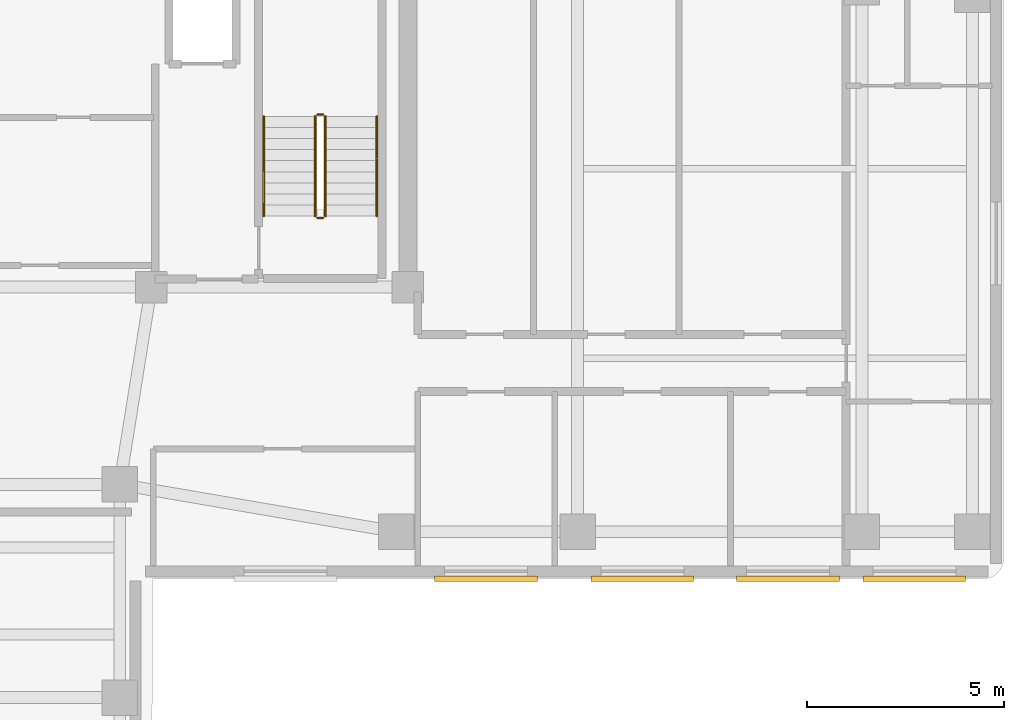
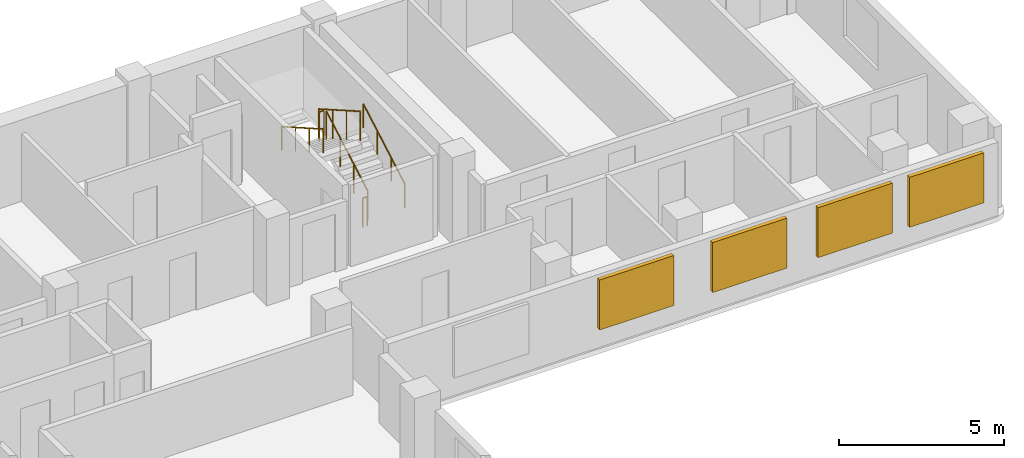
# One storey, part 7 of 7: 6 railings, 4 shading devices.
"""IFC4 building model written with IfcOpenShell, lengths in metres."""

from ifc_helpers import new_model, si_unit, direction, frame, origin, origin_2d, place, context, subcontext, project, spatial, rectangle, circle, extrude, material, layer, layer_set, type_object, element, save


model = new_model("IFC4")

# Units and contexts
model_context = context("Model", 3, precision=1e-05, world=origin(), true_north=direction((0.0, 1.0)))
body_context = subcontext(model_context, "Body", "Model", "MODEL_VIEW")
ifc_project = project(units=[si_unit("LENGTHUNIT", "METRE"), si_unit("AREAUNIT", "SQUARE_METRE"), si_unit("VOLUMEUNIT", "CUBIC_METRE"), si_unit("PLANEANGLEUNIT", "RADIAN"), si_unit("MASSUNIT", "GRAM", prefix="KILO")], contexts=[model_context])

# Site, building, storey
site_placement = place(None, origin())
site = spatial("IfcSite", under=ifc_project, at=site_placement, CompositionType="ELEMENT")
building_placement = place(site_placement, origin())
building = spatial("IfcBuilding", under=site, at=building_placement, Name="Kuzgunbayir Cultural Tower", CompositionType="ELEMENT")
storey_placement = place(building_placement, frame((0.0, 0.0, 192.0)))
storey = spatial("IfcBuildingStorey", under=building, at=storey_placement, Name="L56", CompositionType="ELEMENT", Elevation=192.0)

# Railings
ifc_material_1 = material(Name="Brushed Stainless Steel", Category="steel")
ifc_layer_1 = layer(ifc_material_1, 0.050048828125)
ifc_layer_set_1 = layer_set([ifc_layer_1], Name="Brushed Stainless Steel")
railing_type_1 = type_object("IfcRailingType", Name="RLG-STAIR-HANDRAIL", PredefinedType="HANDRAIL", material=ifc_layer_set_1)
railing_1_placement = place(storey_placement, frame((26.110107421875, 35.60009765625, 0.159912109375)))
element("IfcRailing", 1, at=railing_1_placement, inside=storey, type_object=railing_type_1, Name="L56 ST-2 stair handrail 1", PredefinedType="HANDRAIL", context=body_context, shape_type="SweptSolid", body=[
    extrude(circle(Radius=0.02392578125, at=origin_2d()), frame((0.0, 0.0, 0.8759765625), z_axis=(0.0, 0.868217259934, 0.496184229447), x_axis=(-1.0, 0.0, 0.0)), (0.0, 0.0, 1.0), 2.902587890625),
    extrude(circle(Radius=0.02099609375, at=origin_2d()), origin(), (0.0, 0.0, 1.0), 0.851806640625),
    extrude(circle(Radius=0.02099609375, at=origin_2d()), frame((0.0, 0.840087890625, 0.47998046875)), (0.0, 0.0, 1.0), 0.851806640625),
    extrude(circle(Radius=0.02099609375, at=origin_2d()), frame((0.0, 1.679931640625, 0.960205078125)), (0.0, 0.0, 1.0), 0.851806640625),
    extrude(circle(Radius=0.02099609375, at=origin_2d()), frame((0.0, 2.52001953125, 1.440185546875)), (0.0, 0.0, 1.0), 0.851806640625),
])
railing_2_placement = place(storey_placement, frame((23.25, 38.1201171875, 1.760009765625)))
element("IfcRailing", 2, at=railing_2_placement, inside=storey, type_object=railing_type_1, Name="L56 ST-2 stair handrail 2", PredefinedType="HANDRAIL", context=body_context, shape_type="SweptSolid", body=[
    extrude(circle(Radius=0.02392578125, at=origin_2d()), frame((0.0, 0.0, 0.8759765625), z_axis=(0.0, -0.868253494771, 0.496120820787), x_axis=(1.0, 0.0, 0.0)), (0.0, 0.0, 1.0), 2.90234375),
    extrude(circle(Radius=0.02099609375, at=origin_2d()), origin(), (0.0, 0.0, 1.0), 0.851806640625),
    extrude(circle(Radius=0.02099609375, at=origin_2d()), frame((0.0, -0.840087890625, 0.47998046875)), (0.0, 0.0, 1.0), 0.851806640625),
    extrude(circle(Radius=0.02099609375, at=origin_2d()), frame((0.0, -1.679931640625, 0.9599609375)), (0.0, 0.0, 1.0), 0.851806640625),
    extrude(circle(Radius=0.02099609375, at=origin_2d()), frame((0.0, -2.52001953125, 1.43994140625)), (0.0, 0.0, 1.0), 0.851806640625),
])
ifc_material_2 = material(Name="Painted Steel Balustrade", Category="steel")
ifc_layer_2 = layer(ifc_material_2, 0.06005859375)
ifc_layer_set_2 = layer_set([ifc_layer_2], Name="Painted Steel Balustrade")
railing_type_2 = type_object("IfcRailingType", Name="RLG-WELL-GUARD", PredefinedType="GUARDRAIL", material=ifc_layer_set_2)
railing_3_placement = place(storey_placement, frame((24.81005859375, 35.60009765625, 0.159912109375)))
element("IfcRailing", 3, at=railing_3_placement, inside=storey, type_object=railing_type_2, Name="L56 ST-2 stair guard 1", PredefinedType="GUARDRAIL", context=body_context, shape_type="SweptSolid", body=[
    extrude(circle(Radius=0.02392578125, at=origin_2d()), frame((0.0, 0.0, 1.076171875), z_axis=(0.0, 0.868217259934, 0.496184229447), x_axis=(-1.0, 0.0, 0.0)), (0.0, 0.0, 1.0), 2.902587890625),
    extrude(circle(Radius=0.02099609375, at=origin_2d()), origin(), (0.0, 0.0, 1.0), 1.052001953125),
    extrude(circle(Radius=0.02099609375, at=origin_2d()), frame((0.0, 0.840087890625, 0.47998046875)), (0.0, 0.0, 1.0), 1.052001953125),
    extrude(circle(Radius=0.02099609375, at=origin_2d()), frame((0.0, 1.679931640625, 0.960205078125)), (0.0, 0.0, 1.0), 1.052001953125),
    extrude(circle(Radius=0.02099609375, at=origin_2d()), frame((0.0, 2.52001953125, 1.440185546875)), (0.0, 0.0, 1.0), 1.052001953125),
])
railing_4_placement = place(storey_placement, frame((24.760009765625, 38.169921875, 1.60009765625)))
element("IfcRailing", 4, at=railing_4_placement, inside=storey, type_object=railing_type_2, Name="L56 ST-2 stair guard 2", PredefinedType="GUARDRAIL", context=body_context, shape_type="SweptSolid", body=[
    extrude(circle(Radius=0.02392578125, at=origin_2d()), frame((0.0, 0.0, 1.076171875), z_axis=(-1.0, 0.0, 0.0), x_axis=(0.0, -1.0, 0.0)), (0.0, 0.0, 1.0), 0.159912109375),
    extrude(circle(Radius=0.02099609375, at=origin_2d()), origin(), (0.0, 0.0, 1.0), 1.052001953125),
    extrude(circle(Radius=0.02099609375, at=origin_2d()), frame((-0.159912109375, 0.0, 0.0)), (0.0, 0.0, 1.0), 1.052001953125),
])
railing_5_placement = place(storey_placement, frame((24.550048828125, 38.1201171875, 1.760009765625)))
element("IfcRailing", 5, at=railing_5_placement, inside=storey, type_object=railing_type_2, Name="L56 ST-2 stair guard 3", PredefinedType="GUARDRAIL", context=body_context, shape_type="SweptSolid", body=[
    extrude(circle(Radius=0.02392578125, at=origin_2d()), frame((0.0, 0.0, 1.076171875), z_axis=(0.0, -0.868253494771, 0.496120820787), x_axis=(1.0, 0.0, 0.0)), (0.0, 0.0, 1.0), 2.90234375),
    extrude(circle(Radius=0.02099609375, at=origin_2d()), origin(), (0.0, 0.0, 1.0), 1.052001953125),
    extrude(circle(Radius=0.02099609375, at=origin_2d()), frame((0.0, -0.840087890625, 0.47998046875)), (0.0, 0.0, 1.0), 1.052001953125),
    extrude(circle(Radius=0.02099609375, at=origin_2d()), frame((0.0, -1.679931640625, 0.9599609375)), (0.0, 0.0, 1.0), 1.052001953125),
    extrude(circle(Radius=0.02099609375, at=origin_2d()), frame((0.0, -2.52001953125, 1.43994140625)), (0.0, 0.0, 1.0), 1.052001953125),
])
railing_6_placement = place(storey_placement, frame((24.760009765625, 35.550048828125, 0.0)))
element("IfcRailing", 6, at=railing_6_placement, inside=storey, type_object=railing_type_2, Name="L56 ST-2 stair guard 4", PredefinedType="GUARDRAIL", context=body_context, shape_type="SweptSolid", body=[
    extrude(circle(Radius=0.02392578125, at=origin_2d()), frame((0.0, 0.0, 1.076171875), z_axis=(-1.0, 0.0, 0.0), x_axis=(0.0, -1.0, 0.0)), (0.0, 0.0, 1.0), 0.159912109375),
    extrude(circle(Radius=0.02099609375, at=origin_2d()), origin(), (0.0, 0.0, 1.0), 1.052001953125),
    extrude(circle(Radius=0.02099609375, at=origin_2d()), frame((-0.159912109375, 0.0, 0.0)), (0.0, 0.0, 1.0), 1.052001953125),
])

# Shading devices
ifc_material_3 = material(Name="Perforated Bronze-Anodised Aluminium", Category="aluminium")
shading_device_type = type_object("IfcShadingDeviceType", Name="SHD-SOLAR-BRONZE", PredefinedType="JALOUSIE", material=ifc_material_3)
for number, where, z_axis, x_axis, name in (
    (7, (39.72998046875, 26.409912109375, 0.73486328125), (0.0, 0.0, 1.0), (1.0, 0.0, 0.0), "L56 Solar Screen WBS7"),
    (8, (28.8798828125, 26.409912109375, 0.73486328125), (0.0, 0.0, 1.0), (1.0, 0.0, 0.0), "L56 Solar Screen WBS10"),
    (9, (32.840087890625, 26.409912109375, 0.73486328125), (0.0, 0.0, 1.0), (1.0, 0.0, 0.0), "L56 Solar Screen WBS11"),
    (10, (36.530029296875, 26.409912109375, 0.73486328125), (0.0, 0.0, 1.0), (1.0, 0.0, 0.0), "L56 Solar Screen WBS12"),
):
    element("IfcShadingDevice", number, at=place(storey_placement, frame(where, z_axis=z_axis, x_axis=x_axis)), inside=storey, type_object=shading_device_type, Name=name, PredefinedType="JALOUSIE", context=body_context, shape_type="SweptSolid", body=[
        extrude(rectangle(XDim=2.60009765625, YDim=0.139892578125, at=origin_2d()), origin(), (0.0, 0.0, 1.0), 1.85009765625),
    ])

save(model, "model.ifc")
